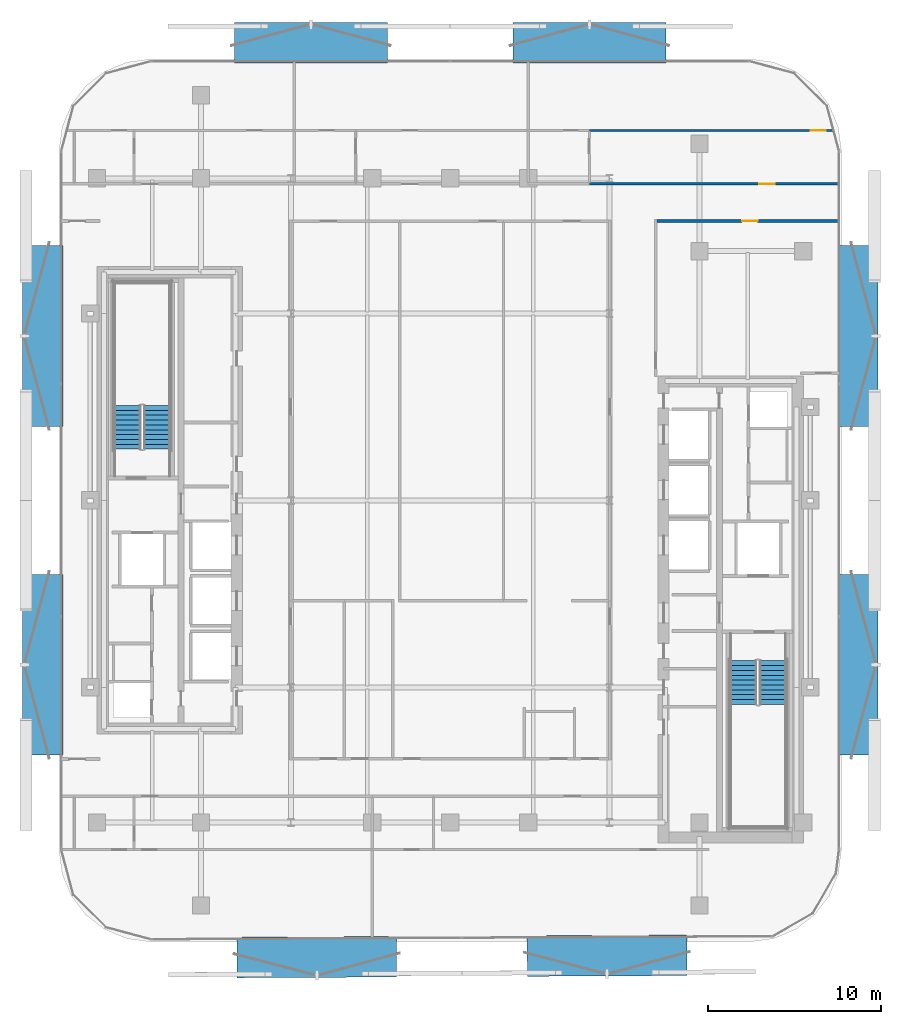
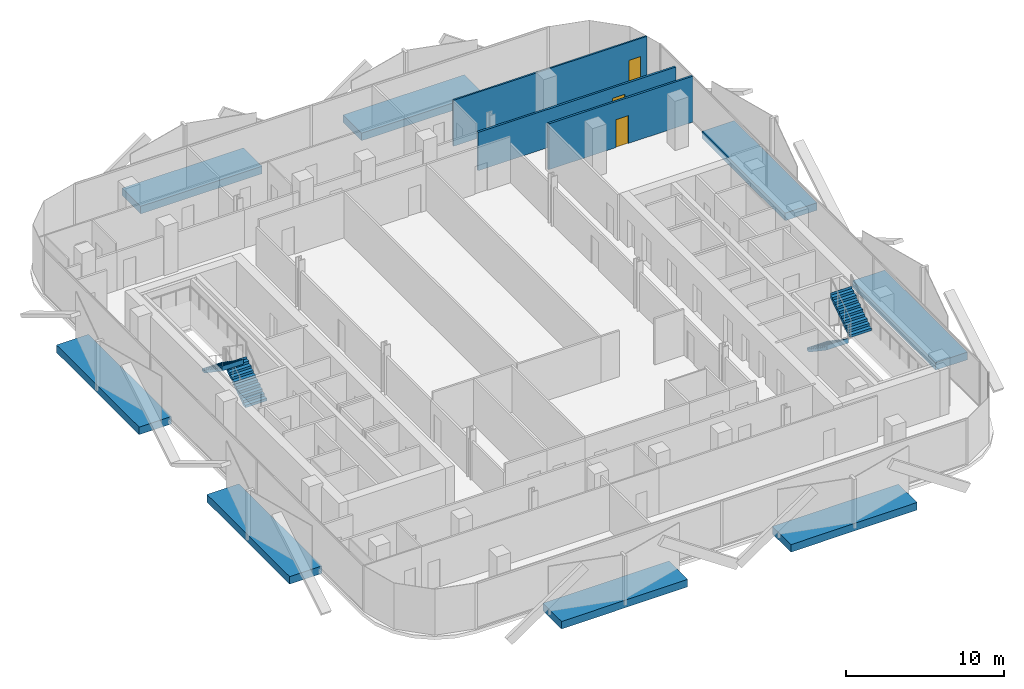
# One storey, part 7 of 16: 8 discrete accessories, 4 stair flights, 3 doors, 3 walls, 3 openings, 2 elements without a shape of their own.
"""IFC4 building model written with IfcOpenShell, lengths in metres."""

from ifc_helpers import new_model, si_unit, direction, frame, frame_2d, origin, origin_2d, place, context, subcontext, project, spatial, polyline, rectangle, outline, extrude, material, layer, layer_set, type_object, element, fill, aggregate, save


model = new_model("IFC4")

# Units and contexts
model_context = context("Model", 3, precision=1e-05, world=origin(), true_north=direction((0.0, 1.0)))
body_context = subcontext(model_context, "Body", "Model", "MODEL_VIEW")
ifc_project = project(units=[si_unit("LENGTHUNIT", "METRE"), si_unit("AREAUNIT", "SQUARE_METRE"), si_unit("VOLUMEUNIT", "CUBIC_METRE"), si_unit("PLANEANGLEUNIT", "RADIAN"), si_unit("MASSUNIT", "GRAM", prefix="KILO")], contexts=[model_context])

# Site, building, storey
site_placement = place(None, origin())
site = spatial("IfcSite", under=ifc_project, at=site_placement, CompositionType="ELEMENT")
building_placement = place(site_placement, origin())
building = spatial("IfcBuilding", under=site, at=building_placement, Name="Khairoan Windgate Tower", CompositionType="ELEMENT")
storey_placement = place(building_placement, frame((0.0, 0.0, 184.0)))
storey = spatial("IfcBuildingStorey", under=building, at=storey_placement, Name="L42", CompositionType="ELEMENT", Elevation=184.0)

# Wall, opening, door
ifc_material_1 = material(Name="Gypsum Stud Partition", Category="gypsum")
ifc_layer_1 = layer(ifc_material_1, 0.1201171875, Name="Gypsum Stud Partition")
ifc_layer_set_1 = layer_set([ifc_layer_1], Name="Gypsum Stud Partition")
wall_type_1 = type_object("IfcWallType", Name="Internal Room Partition Wall", PredefinedType="PARTITIONING", material=ifc_layer_set_1)
wall_1_placement = place(storey_placement, frame((8.0400390625, 21.3701171875, 0.0), z_axis=(0.0, 0.0, 1.0), x_axis=(1.0, 0.0, 0.0)))
wall_1 = element("IfcWall", 1, at=wall_1_placement, inside=storey, type_object=wall_type_1, Name="L42 Interior Partition 063", PredefinedType="PARTITIONING", context=body_context, shape_type="SweptSolid", body=[
    extrude(rectangle(XDim=14.099609375, YDim=0.1201171875, at=frame_2d((7.0498046875, 0.0))), origin(), (0.0, 0.0, 1.0), 3.5400390625),
])
opening_1_placement = place(wall_1_placement, frame((12.779541015625, 0.0, 0.0)))
opening_1 = element("IfcOpeningElement", 2, at=opening_1_placement, cuts=wall_1, Name="Opening ID-RM", PredefinedType="OPENING", context=body_context, shape_type="SweptSolid", body=[
    extrude(rectangle(XDim=0.860107421875, YDim=2.14990234375, at=frame_2d((0.43017578125, 1.074951171875))), frame((0.0, 0.070068359375, 0.0), z_axis=(0.0, -1.0, 0.0), x_axis=(1.0, 0.0, 0.0)), (0.0, 0.0, 1.0), 0.14013671875),
])
ifc_material_2 = material(Name="Teak Veneer Timber Leaf", Category="wood")
door_type_1 = type_object("IfcDoorType", Name="Internal Bedroom and Office Door ID-RM 860x2150", OperationType="NOTDEFINED", PredefinedType="DOOR", material=ifc_material_2)
door_1_placement = place(opening_1_placement, origin())
door_1 = element("IfcDoor", 3, at=door_1_placement, inside=storey, type_object=door_type_1, Name="L42 L42-49-L42-50 Door", OperationType="SINGLE_SWING_RIGHT", OverallHeight=2.14990234375, OverallWidth=0.860107421875, PredefinedType="DOOR", context=body_context, shape_type="SweptSolid", body=[
    extrude(rectangle(XDim=0.860107421875, YDim=2.14990234375, at=frame_2d((0.43017578125, 1.074951171875))), frame((0.0, 0.02490234375, 0.0), z_axis=(0.0, -1.0, 0.0), x_axis=(1.0, 0.0, 0.0)), (0.0, 0.0, 1.0), 0.050048828125),
])
fill(opening_1, door_1)

ifc_material_3 = material(Name="Acoustic Fire-Rated Gypsum Partition", Category="gypsum")
ifc_layer_2 = layer(ifc_material_3, 0.14990234375, Name="Acoustic Fire-Rated Gypsum Partition")
ifc_layer_set_2 = layer_set([ifc_layer_2], Name="Acoustic Fire-Rated Gypsum Partition")
wall_type_2 = type_object("IfcWallType", Name="Rated Corridor Partition Wall", PredefinedType="PARTITIONING", material=ifc_layer_set_2)
wall_2_placement = place(storey_placement, frame((8.0400390625, 18.280029296875, 0.0), z_axis=(0.0, 0.0, 1.0), x_axis=(1.0, 0.0, 0.0)))
wall_2 = element("IfcWall", 4, at=wall_2_placement, inside=storey, type_object=wall_type_2, Name="L42 Interior Partition 027", PredefinedType="PARTITIONING", context=body_context, shape_type="SweptSolid", body=[
    extrude(rectangle(XDim=14.4150390625, YDim=0.14990234375, at=frame_2d((7.20751953125, 0.0))), origin(), (0.0, 0.0, 1.0), 2.951904296875),
])
opening_2_placement = place(wall_2_placement, frame((9.8046875, 0.0, 0.0)))
opening_2 = element("IfcOpeningElement", 5, at=opening_2_placement, cuts=wall_2, Name="Opening FD-ENT", PredefinedType="OPENING", context=body_context, shape_type="SweptSolid", body=[
    extrude(rectangle(XDim=0.89990234375, YDim=2.14990234375, at=frame_2d((0.449951171875, 1.074951171875))), frame((0.0, 0.0849609375, 0.0), z_axis=(0.0, -1.0, 0.0), x_axis=(1.0, 0.0, 0.0)), (0.0, 0.0, 1.0), 0.169921875),
])
ifc_material_4 = material(Name="Timber Fire-Rated Core", Category="wood")
door_type_2 = type_object("IfcDoorType", Name="Unit and Office Fire Entrance Door FD-ENT 900x2150", OperationType="NOTDEFINED", PredefinedType="DOOR", material=ifc_material_4)
door_2_placement = place(opening_2_placement, origin())
door_2 = element("IfcDoor", 6, at=door_2_placement, inside=storey, type_object=door_type_2, Name="L42 L42-32-L42-49 Door", OperationType="SINGLE_SWING_LEFT", OverallHeight=2.14990234375, OverallWidth=0.89990234375, PredefinedType="DOOR", context=body_context, shape_type="SweptSolid", body=[
    extrude(rectangle(XDim=0.89990234375, YDim=2.14990234375, at=frame_2d((0.449951171875, 1.074951171875))), frame((0.0, 0.02490234375, 0.0), z_axis=(0.0, -1.0, 0.0), x_axis=(1.0, 0.0, 0.0)), (0.0, 0.0, 1.0), 0.050048828125),
])
fill(opening_2, door_2)

wall_3_placement = place(storey_placement, frame((11.955078125, 16.139892578125, 0.0), z_axis=(0.0, 0.0, 1.0), x_axis=(1.0, 0.0, 0.0)))
wall_3 = element("IfcWall", 7, at=wall_3_placement, inside=storey, type_object=wall_type_2, Name="L42 Interior Partition 028", PredefinedType="PARTITIONING", context=body_context, shape_type="SweptSolid", body=[
    extrude(rectangle(XDim=10.5, YDim=0.14990234375, at=frame_2d((5.25, 0.0))), origin(), (0.0, 0.0, 1.0), 3.5400390625),
])
opening_3_placement = place(wall_3_placement, frame((4.90087890625, 0.0, 0.0)))
opening_3 = element("IfcOpeningElement", 8, at=opening_3_placement, cuts=wall_3, Name="Opening FD-ENT", PredefinedType="OPENING", context=body_context, shape_type="SweptSolid", body=[
    extrude(rectangle(XDim=0.89990234375, YDim=2.14990234375, at=frame_2d((0.449951171875, 1.074951171875))), frame((0.0, 0.0849609375, 0.0), z_axis=(0.0, -1.0, 0.0), x_axis=(1.0, 0.0, 0.0)), (0.0, 0.0, 1.0), 0.169921875),
])
door_3_placement = place(opening_3_placement, origin())
door_3 = element("IfcDoor", 9, at=door_3_placement, inside=storey, type_object=door_type_2, Name="L42 L42-32-L42-57 Door", OperationType="SINGLE_SWING_RIGHT", OverallHeight=2.14990234375, OverallWidth=0.89990234375, PredefinedType="DOOR", context=body_context, shape_type="SweptSolid", body=[
    extrude(rectangle(XDim=0.89990234375, YDim=2.14990234375, at=frame_2d((0.449951171875, 1.074951171875))), frame((0.0, 0.02490234375, 0.0), z_axis=(0.0, -1.0, 0.0), x_axis=(1.0, 0.0, 0.0)), (0.0, 0.0, 1.0), 0.050048828125),
])
fill(opening_3, door_3)

# Stair, stair flights
ifc_material_5 = material(Name="Concrete C40/50", Category="concrete")
stair_type = type_object("IfcStairType", Name="Tower Core Dog-Leg Stair ST-T1 1560mm", PredefinedType="HALF_TURN_STAIR", material=ifc_material_5)
stair_1_placement = place(storey_placement, origin())
stair_1 = element("IfcStair", 10, at=stair_1_placement, inside=storey, type_object=stair_type, Name="L42 Stair ST1", PredefinedType="HALF_TURN_STAIR")
ifc_material_6 = material(Name="Concrete C40/50", Category="concrete")
ifc_layer_3 = layer(ifc_material_6, 0.14990234375, Name="Concrete C40/50")
ifc_layer_set_3 = layer_set([ifc_layer_3], Name="Concrete C40/50")
stair_flight_type = type_object("IfcStairFlightType", Name="Tower Core Stair Flight STF-1560", PredefinedType="STRAIGHT", material=ifc_layer_set_3)
stair_flight_1_placement = place(storey_placement, frame((16.929931640625, -9.260009765625, 0.0), z_axis=(0.0, 0.0, 1.0), x_axis=(0.0, -1.0, 0.0)))
stair_flight_1 = element("IfcStairFlight", 11, at=stair_flight_1_placement, type_object=stair_flight_type, Name="ST1 flight 1", NumberOfRisers=10, NumberOfTreads=9, PredefinedType="STRAIGHT", RiserHeight=0.19, TreadLength=0.28, context=body_context, shape_type="SweptSolid", body=[
    extrude(outline(polyline([(-0.00390625, 0.0), (-0.00390625, 0.18994140625), (0.0, 0.18994140625), (0.280029296875, 0.18994140625), (0.280029296875, 0.3798828125), (0.56005859375, 0.3798828125), (0.56005859375, 0.570068359375), (0.840087890625, 0.570068359375), (0.840087890625, 0.760009765625), (1.1201171875, 0.760009765625), (1.1201171875, 0.949951171875), (1.39990234375, 0.949951171875), (1.39990234375, 1.139892578125), (1.679931640625, 1.139892578125), (1.679931640625, 1.330078125), (1.9599609375, 1.330078125), (1.9599609375, 1.52001953125), (2.239990234375, 1.52001953125), (2.239990234375, 1.7099609375), (2.52001953125, 1.7099609375), (2.52001953125, 1.89990234375), (2.52392578125, 1.89990234375), (2.52392578125, 1.52880859375), (0.266845703125, 0.0), (-0.00390625, 0.0)])), frame((0.0, 0.780029296875, 0.0), z_axis=(0.0, -1.0, 0.0), x_axis=(1.0, 0.0, 0.0)), (0.0, 0.0, 1.0), 1.56005859375),
])
stair_flight_2_placement = place(storey_placement, frame((18.639892578125, -11.780029296875, 1.89990234375), z_axis=(0.0, 0.0, 1.0), x_axis=(0.0, 1.0, 0.0)))
stair_flight_2 = element("IfcStairFlight", 12, at=stair_flight_2_placement, type_object=stair_flight_type, Name="ST1 flight 2", NumberOfRisers=10, NumberOfTreads=9, PredefinedType="STRAIGHT", RiserHeight=0.19, TreadLength=0.28, context=body_context, shape_type="SweptSolid", body=[
    extrude(outline(polyline([(-0.00390625, 0.0), (-0.00390625, 0.18994140625), (0.0, 0.18994140625), (0.280029296875, 0.18994140625), (0.280029296875, 0.3798828125), (0.56005859375, 0.3798828125), (0.56005859375, 0.570068359375), (0.840087890625, 0.570068359375), (0.840087890625, 0.760009765625), (1.1201171875, 0.760009765625), (1.1201171875, 0.949951171875), (1.39990234375, 0.949951171875), (1.39990234375, 1.139892578125), (1.679931640625, 1.139892578125), (1.679931640625, 1.330078125), (1.9599609375, 1.330078125), (1.9599609375, 1.52001953125), (2.239990234375, 1.52001953125), (2.239990234375, 1.7099609375), (2.52001953125, 1.7099609375), (2.52001953125, 1.89990234375), (2.52392578125, 1.89990234375), (2.52392578125, 1.52880859375), (0.266845703125, 0.0), (-0.00390625, 0.0)])), frame((0.0, 0.780029296875, 0.0), z_axis=(0.0, -1.0, 0.0), x_axis=(1.0, 0.0, 0.0)), (0.0, 0.0, 1.0), 1.56005859375),
])
aggregate(stair_1, [stair_flight_1, stair_flight_2])

stair_2_placement = place(storey_placement, origin())
stair_2 = element("IfcStair", 13, at=stair_2_placement, inside=storey, type_object=stair_type, Name="L42 Stair ST2", PredefinedType="HALF_TURN_STAIR")
stair_flight_3_placement = place(storey_placement, frame((-16.929931640625, 2.9599609375, 0.0), z_axis=(0.0, 0.0, 1.0), x_axis=(0.0, 1.0, 0.0)))
stair_flight_3 = element("IfcStairFlight", 14, at=stair_flight_3_placement, type_object=stair_flight_type, Name="ST2 flight 1", NumberOfRisers=10, NumberOfTreads=9, PredefinedType="STRAIGHT", RiserHeight=0.19, TreadLength=0.28, context=body_context, shape_type="SweptSolid", body=[
    extrude(outline(polyline([(-0.00390625, 0.0), (-0.00390625, 0.18994140625), (0.0, 0.18994140625), (0.280029296875, 0.18994140625), (0.280029296875, 0.3798828125), (0.56005859375, 0.3798828125), (0.56005859375, 0.570068359375), (0.840087890625, 0.570068359375), (0.840087890625, 0.760009765625), (1.1201171875, 0.760009765625), (1.1201171875, 0.949951171875), (1.39990234375, 0.949951171875), (1.39990234375, 1.139892578125), (1.679931640625, 1.139892578125), (1.679931640625, 1.330078125), (1.9599609375, 1.330078125), (1.9599609375, 1.52001953125), (2.239990234375, 1.52001953125), (2.239990234375, 1.7099609375), (2.52001953125, 1.7099609375), (2.52001953125, 1.89990234375), (2.52392578125, 1.89990234375), (2.52392578125, 1.52880859375), (0.266845703125, 0.0), (-0.00390625, 0.0)])), frame((0.0, 0.780029296875, 0.0), z_axis=(0.0, -1.0, 0.0), x_axis=(1.0, 0.0, 0.0)), (0.0, 0.0, 1.0), 1.56005859375),
])
stair_flight_4_placement = place(storey_placement, frame((-18.639892578125, 5.47998046875, 1.89990234375), z_axis=(0.0, 0.0, 1.0), x_axis=(0.0, -1.0, 0.0)))
stair_flight_4 = element("IfcStairFlight", 15, at=stair_flight_4_placement, type_object=stair_flight_type, Name="ST2 flight 2", NumberOfRisers=10, NumberOfTreads=9, PredefinedType="STRAIGHT", RiserHeight=0.19, TreadLength=0.28, context=body_context, shape_type="SweptSolid", body=[
    extrude(outline(polyline([(-0.00390625, 0.0), (-0.00390625, 0.18994140625), (0.0, 0.18994140625), (0.280029296875, 0.18994140625), (0.280029296875, 0.3798828125), (0.56005859375, 0.3798828125), (0.56005859375, 0.570068359375), (0.840087890625, 0.570068359375), (0.840087890625, 0.760009765625), (1.1201171875, 0.760009765625), (1.1201171875, 0.949951171875), (1.39990234375, 0.949951171875), (1.39990234375, 1.139892578125), (1.679931640625, 1.139892578125), (1.679931640625, 1.330078125), (1.9599609375, 1.330078125), (1.9599609375, 1.52001953125), (2.239990234375, 1.52001953125), (2.239990234375, 1.7099609375), (2.52001953125, 1.7099609375), (2.52001953125, 1.89990234375), (2.52392578125, 1.89990234375), (2.52392578125, 1.52880859375), (0.266845703125, 0.0), (-0.00390625, 0.0)])), frame((0.0, 0.780029296875, 0.0), z_axis=(0.0, -1.0, 0.0), x_axis=(1.0, 0.0, 0.0)), (0.0, 0.0, 1.0), 1.56005859375),
])
aggregate(stair_2, [stair_flight_3, stair_flight_4])

# Discrete accessories
ifc_material_7 = material(Name="Steel S355", Category="steel")
discrete_accessory_type = type_object("IfcDiscreteAccessoryType", Name="Solar Screen Outrigger Slab Bracket SSB-1", PredefinedType="BRACKET", material=ifc_material_7)
for number, where, z_axis, x_axis, name in (
    (16, (9.05908203125, -26.30029296875, -0.419921875), (0.0, 0.0, 1.0), (-0.999988059021, -0.004886902454, 0.0), "L42 Solar Screen Outrigger Bracket 273"),
    (17, (-7.7041015625, -26.3828125, -0.419921875), (0.0, 0.0, 1.0), (-0.999988059021, -0.004886902454, 0.0), "L42 Solar Screen Outrigger Bracket 274"),
):
    element("IfcDiscreteAccessory", number, at=place(storey_placement, frame(where, z_axis=z_axis, x_axis=x_axis)), inside=storey, type_object=discrete_accessory_type, Name=name, PredefinedType="BRACKET", context=body_context, shape_type="SweptSolid", body=[
        extrude(rectangle(XDim=9.219970703125, YDim=2.340087890625, at=origin_2d()), origin(), (0.0, 0.0, 1.0), 0.580078125),
    ])
for number, where, z_axis, x_axis, name in (
    (18, (-23.530029296875, -9.495361328125, -0.419921875), (0.0, 0.0, 1.0), (0.0, 1.0, 0.0), "L42 Solar Screen Outrigger Bracket 275"),
    (19, (-23.530029296875, 9.495361328125, -0.419921875), (0.0, 0.0, 1.0), (0.0, 1.0, 0.0), "L42 Solar Screen Outrigger Bracket 276"),
):
    element("IfcDiscreteAccessory", number, at=place(storey_placement, frame(where, z_axis=z_axis, x_axis=x_axis)), inside=storey, type_object=discrete_accessory_type, Name=name, PredefinedType="BRACKET", context=body_context, shape_type="SweptSolid", body=[
        extrude(rectangle(XDim=10.445068359375, YDim=2.340087890625, at=origin_2d()), origin(), (0.0, 0.0, 1.0), 0.580078125),
    ])
for number, where, z_axis, x_axis, name in (
    (20, (-8.04541015625, 26.429931640625, -0.419921875), (0.0, 0.0, 1.0), (1.0, 0.0, 0.0), "L42 Solar Screen Outrigger Bracket 277"),
    (21, (8.04541015625, 26.429931640625, -0.419921875), (0.0, 0.0, 1.0), (1.0, 0.0, 0.0), "L42 Solar Screen Outrigger Bracket 278"),
):
    element("IfcDiscreteAccessory", number, at=place(storey_placement, frame(where, z_axis=z_axis, x_axis=x_axis)), inside=storey, type_object=discrete_accessory_type, Name=name, PredefinedType="BRACKET", context=body_context, shape_type="SweptSolid", body=[
        extrude(rectangle(XDim=8.85009765625, YDim=2.340087890625, at=origin_2d()), origin(), (0.0, 0.0, 1.0), 0.580078125),
    ])
for number, where, z_axis, x_axis, name in (
    (22, (23.530029296875, 9.495361328125, -0.419921875), (0.0, 0.0, 1.0), (0.0, -1.0, 0.0), "L42 Solar Screen Outrigger Bracket 279"),
    (23, (23.530029296875, -9.495361328125, -0.419921875), (0.0, 0.0, 1.0), (0.0, -1.0, 0.0), "L42 Solar Screen Outrigger Bracket 280"),
):
    element("IfcDiscreteAccessory", number, at=place(storey_placement, frame(where, z_axis=z_axis, x_axis=x_axis)), inside=storey, type_object=discrete_accessory_type, Name=name, PredefinedType="BRACKET", context=body_context, shape_type="SweptSolid", body=[
        extrude(rectangle(XDim=10.445068359375, YDim=2.340087890625, at=origin_2d()), origin(), (0.0, 0.0, 1.0), 0.580078125),
    ])

save(model, "model.ifc")
